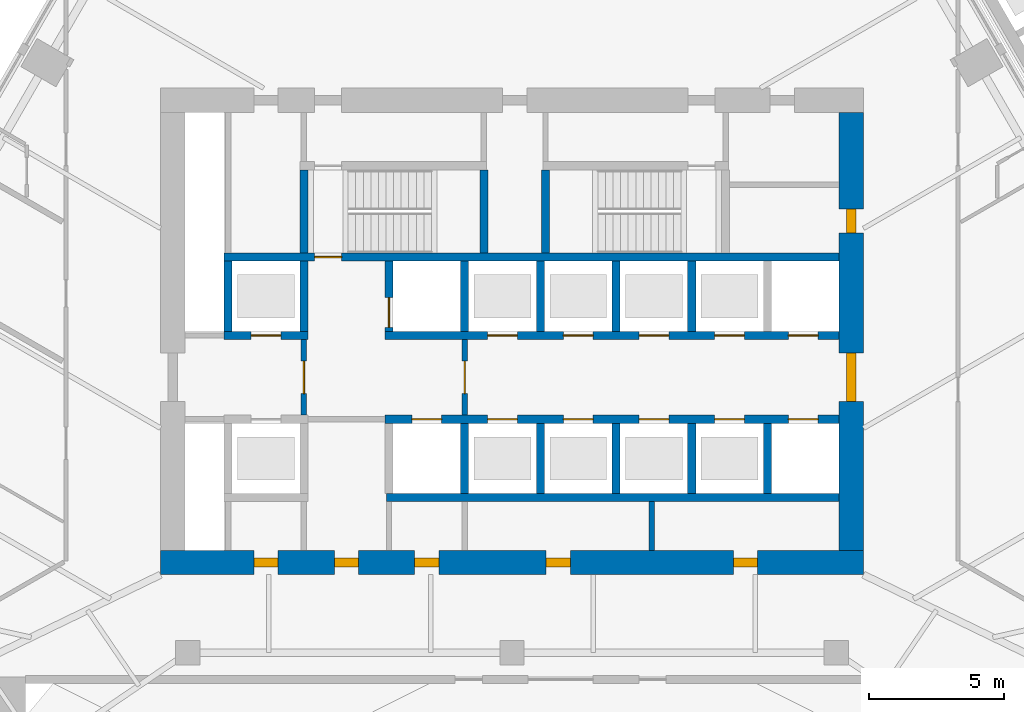
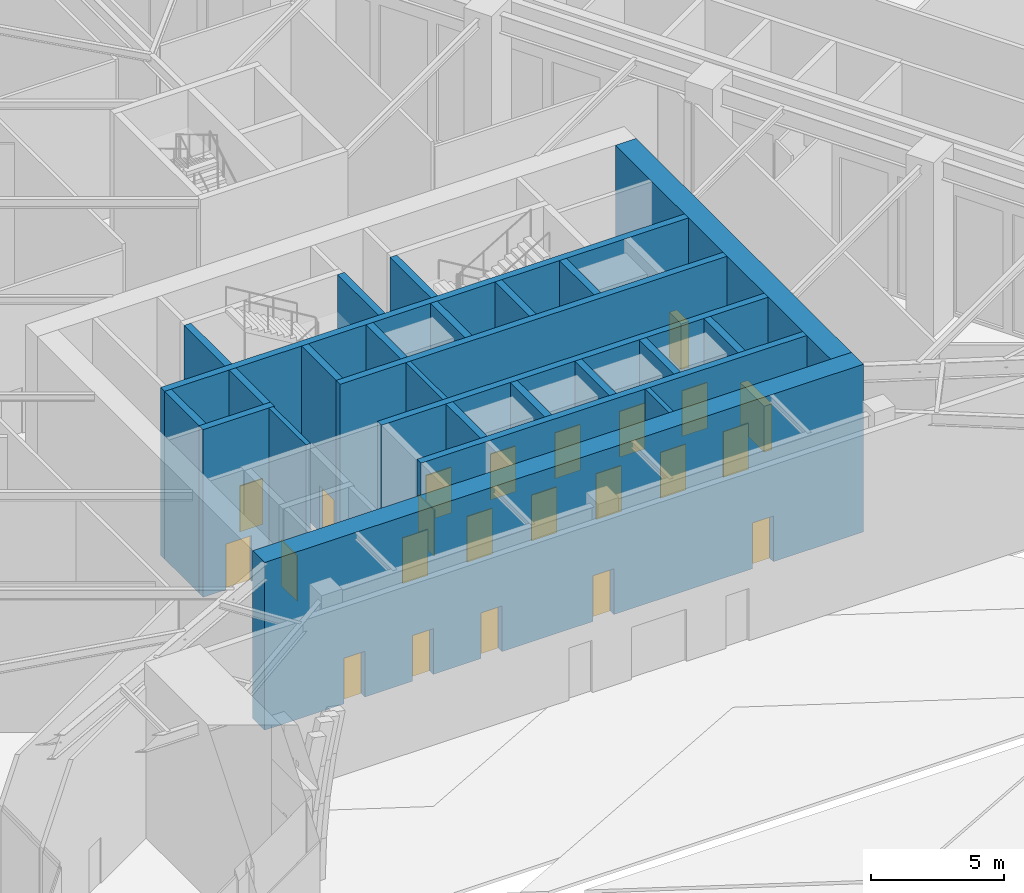
# One storey, part 14 of 34: 25 walls, 23 doors, 23 openings.
"""IFC4 building model written with IfcOpenShell, lengths in metres."""

from ifc_helpers import new_model, si_unit, direction, frame, frame_2d, origin, place, context, subcontext, project, spatial, rectangle, extrude, material, layer, layer_set, type_object, element, fill, save


model = new_model("IFC4")

# Units and contexts
model_context = context("Model", 3, precision=1e-05, world=origin(), true_north=direction((0.0, 1.0)))
body_context = subcontext(model_context, "Body", "Model", "MODEL_VIEW")
ifc_project = project(units=[si_unit("LENGTHUNIT", "METRE"), si_unit("AREAUNIT", "SQUARE_METRE"), si_unit("VOLUMEUNIT", "CUBIC_METRE"), si_unit("PLANEANGLEUNIT", "RADIAN"), si_unit("MASSUNIT", "GRAM", prefix="KILO")], contexts=[model_context])

# Site, building, storey
site_placement = place(None, origin())
site = spatial("IfcSite", under=ifc_project, at=site_placement, CompositionType="ELEMENT")
building_placement = place(site_placement, origin())
building = spatial("IfcBuilding", under=site, at=building_placement, Name="Firuza Gate Tower and Library", CompositionType="ELEMENT")
storey_placement = place(building_placement, origin())
storey = spatial("IfcBuildingStorey", under=building, at=storey_placement, Name="L00", CompositionType="ELEMENT", Elevation=0.0)

# Wall
ifc_material_1 = material(Name="Plasterboard on steel studs", Category="steel")
ifc_layer_1 = layer(ifc_material_1, 0.199951171875)
ifc_layer_set_1 = layer_set([ifc_layer_1], Name="Core partition 200 EI 120")
wall_type_1 = type_object("IfcWallType", Name="Core partition 200 EI 120", PredefinedType="PARTITIONING", material=ifc_layer_set_1)
wall_1_placement = place(storey_placement, frame((80.175048828125, 66.89990234375, 0.0), z_axis=(0.0, 0.0, 1.0), x_axis=(0.0, 1.0, 0.0)))
element("IfcWall", 1, at=wall_1_placement, inside=storey, type_object=wall_type_1, Name="Core partition L00 15", PredefinedType="PARTITIONING", context=body_context, shape_type="SweptSolid", body=[
    extrude(rectangle(XDim=1.800048828125, YDim=0.199951171875, at=frame_2d((0.89990234375, 0.0))), origin(), (0.0, 0.0, 1.0), 7.699951171875),
])

# Wall, opening, door
ifc_material_2 = material(Name="Plasterboard on steel studs", Category="steel")
ifc_layer_2 = layer(ifc_material_2, 0.199951171875)
ifc_layer_set_2 = layer_set([ifc_layer_2], Name="Core partition 200 EI 60")
wall_type_2 = type_object("IfcWallType", Name="Core partition 200 EI 60", PredefinedType="PARTITIONING", material=ifc_layer_set_2)
wall_2_placement = place(storey_placement, frame((67.300048828125, 71.89990234375, 0.0), z_axis=(0.0, 0.0, 1.0), x_axis=(0.0, 1.0, 0.0)))
wall_2 = element("IfcWall", 2, at=wall_2_placement, inside=storey, type_object=wall_type_2, Name="Core partition L00 8", PredefinedType="PARTITIONING", context=body_context, shape_type="SweptSolid", body=[
    extrude(rectangle(XDim=2.800048828125, YDim=0.199951171875, at=frame_2d((1.39990234375, 0.0))), origin(), (0.0, 0.0, 1.0), 7.699951171875),
])
opening_1_placement = place(wall_2_placement, frame((0.800048828125, 0.0, 0.0)))
opening_1 = element("IfcOpeningElement", 3, at=opening_1_placement, cuts=wall_2, Name="Opening L00-K25", PredefinedType="OPENING", context=body_context, shape_type="SweptSolid", body=[
    extrude(rectangle(XDim=1.199951171875, YDim=2.10009765625, at=frame_2d((0.60009765625, 1.050048828125))), frame((0.0, 0.10986328125, 0.0), z_axis=(0.0, -1.0, 0.0), x_axis=(1.0, 0.0, 0.0)), (0.0, 0.0, 1.0), 0.219970703125),
])
ifc_material_3 = material(Name="Steel", Category="steel")
door_type_1 = type_object("IfcDoorType", Name="Fire door 1200x2100 FD90S", OperationType="NOTDEFINED", PredefinedType="DOOR", material=ifc_material_3)
door_1_placement = place(opening_1_placement, origin())
door_1 = element("IfcDoor", 4, at=door_1_placement, inside=storey, type_object=door_type_1, Name="Door L00-K25", OperationType="SINGLE_SWING_RIGHT", OverallHeight=2.10009765625, OverallWidth=1.199951171875, PredefinedType="DOOR", context=body_context, shape_type="SweptSolid", body=[
    extrude(rectangle(XDim=1.199951171875, YDim=2.10009765625, at=frame_2d((0.60009765625, 1.050048828125))), frame((0.0, 0.02490234375, 0.0), z_axis=(0.0, -1.0, 0.0), x_axis=(1.0, 0.0, 0.0)), (0.0, 0.0, 1.0), 0.050048828125),
])
fill(opening_1, door_1)

wall_3_placement = place(storey_placement, frame((73.25, 71.89990234375, 0.0), z_axis=(0.0, 0.0, 1.0), x_axis=(0.0, 1.0, 0.0)))
wall_3 = element("IfcWall", 5, at=wall_3_placement, inside=storey, type_object=wall_type_2, Name="Core partition L00 12", PredefinedType="PARTITIONING", context=body_context, shape_type="SweptSolid", body=[
    extrude(rectangle(XDim=2.800048828125, YDim=0.199951171875, at=frame_2d((1.39990234375, 0.0))), origin(), (0.0, 0.0, 1.0), 7.699951171875),
])
opening_2_placement = place(wall_3_placement, frame((0.800048828125, 0.0, 0.0)))
opening_2 = element("IfcOpeningElement", 6, at=opening_2_placement, cuts=wall_3, Name="Opening L00-K24", PredefinedType="OPENING", context=body_context, shape_type="SweptSolid", body=[
    extrude(rectangle(XDim=1.199951171875, YDim=2.10009765625, at=frame_2d((0.60009765625, 1.050048828125))), frame((0.0, 0.10986328125, 0.0), z_axis=(0.0, -1.0, 0.0), x_axis=(1.0, 0.0, 0.0)), (0.0, 0.0, 1.0), 0.219970703125),
])
door_2_placement = place(opening_2_placement, origin())
door_2 = element("IfcDoor", 7, at=door_2_placement, inside=storey, type_object=door_type_1, Name="Door L00-K24", OperationType="SINGLE_SWING_LEFT", OverallHeight=2.10009765625, OverallWidth=1.199951171875, PredefinedType="DOOR", context=body_context, shape_type="SweptSolid", body=[
    extrude(rectangle(XDim=1.199951171875, YDim=2.10009765625, at=frame_2d((0.60009765625, 1.050048828125))), frame((0.0, 0.02490234375, 0.0), z_axis=(0.0, -1.0, 0.0), x_axis=(1.0, 0.0, 0.0)), (0.0, 0.0, 1.0), 0.050048828125),
])
fill(opening_2, door_2)

# Wall
ifc_material_4 = material(Name="Concrete C80/95", Category="concrete")
ifc_layer_3 = layer(ifc_material_4, 0.300048828125)
ifc_layer_set_3 = layer_set([ifc_layer_3], Name="Core wall 300 C80/95")
wall_type_3 = type_object("IfcWallType", Name="Core wall 300 C80/95", PredefinedType="SHEAR", material=ifc_layer_set_3)
wall_4_placement = place(storey_placement, frame((70.35009765625, 68.85009765625, 0.0), z_axis=(0.0, 0.0, 1.0), x_axis=(1.0, 0.0, 0.0)))
element("IfcWall", 8, at=wall_4_placement, inside=storey, type_object=wall_type_3, Name="Core wall L00 6", PredefinedType="SHEAR", context=body_context, shape_type="SweptSolid", body=[
    extrude(rectangle(XDim=16.75, YDim=0.300048828125, at=frame_2d((8.375, 0.0))), origin(), (0.0, 0.0, 1.0), 7.699951171875),
])

# Wall, openings, doors
wall_5_placement = place(storey_placement, frame((70.300048828125, 71.75, 0.0), z_axis=(0.0, 0.0, 1.0), x_axis=(1.0, 0.0, 0.0)))
wall_5 = element("IfcWall", 9, at=wall_5_placement, inside=storey, type_object=wall_type_3, Name="Core wall L00 8", PredefinedType="SHEAR", context=body_context, shape_type="SweptSolid", body=[
    extrude(rectangle(XDim=16.800048828125, YDim=0.300048828125, at=frame_2d((8.39990234375, 0.0))), origin(), (0.0, 0.0, 1.0), 7.699951171875),
])
opening_3_placement = place(wall_5_placement, frame((1.0, 0.0, 0.0)))
opening_3 = element("IfcOpeningElement", 10, at=opening_3_placement, cuts=wall_5, Name="Opening LD-FF1-L00", PredefinedType="OPENING", context=body_context, shape_type="SweptSolid", body=[
    extrude(rectangle(XDim=1.10009765625, YDim=2.10009765625, at=frame_2d((0.550048828125, 1.050048828125))), frame((0.0, 0.16015625, 0.0), z_axis=(0.0, -1.0, 0.0), x_axis=(1.0, 0.0, 0.0)), (0.0, 0.0, 1.0), 0.320068359375),
])
opening_4_placement = place(wall_5_placement, frame((3.800048828125, 0.0, 0.0)))
opening_4 = element("IfcOpeningElement", 11, at=opening_4_placement, cuts=wall_5, Name="Opening LD-LR1-L00", PredefinedType="OPENING", context=body_context, shape_type="SweptSolid", body=[
    extrude(rectangle(XDim=1.10009765625, YDim=2.10009765625, at=frame_2d((0.550048828125, 1.050048828125))), frame((0.0, 0.16015625, 0.0), z_axis=(0.0, -1.0, 0.0), x_axis=(1.0, 0.0, 0.0)), (0.0, 0.0, 1.0), 0.320068359375),
])
opening_5_placement = place(wall_5_placement, frame((6.60009765625, 0.0, 0.0)))
opening_5 = element("IfcOpeningElement", 12, at=opening_5_placement, cuts=wall_5, Name="Opening LD-LR2-L00", PredefinedType="OPENING", context=body_context, shape_type="SweptSolid", body=[
    extrude(rectangle(XDim=1.10009765625, YDim=2.10009765625, at=frame_2d((0.550048828125, 1.050048828125))), frame((0.0, 0.16015625, 0.0), z_axis=(0.0, -1.0, 0.0), x_axis=(1.0, 0.0, 0.0)), (0.0, 0.0, 1.0), 0.320068359375),
])
opening_6_placement = place(wall_5_placement, frame((9.39990234375, 0.0, 0.0)))
opening_6 = element("IfcOpeningElement", 13, at=opening_6_placement, cuts=wall_5, Name="Opening LD-LR3-L00", PredefinedType="OPENING", context=body_context, shape_type="SweptSolid", body=[
    extrude(rectangle(XDim=1.10009765625, YDim=2.10009765625, at=frame_2d((0.550048828125, 1.050048828125))), frame((0.0, 0.16015625, 0.0), z_axis=(0.0, -1.0, 0.0), x_axis=(1.0, 0.0, 0.0)), (0.0, 0.0, 1.0), 0.320068359375),
])
opening_7_placement = place(wall_5_placement, frame((12.199951171875, 0.0, 0.0)))
opening_7 = element("IfcOpeningElement", 14, at=opening_7_placement, cuts=wall_5, Name="Opening LD-LR5-L00", PredefinedType="OPENING", context=body_context, shape_type="SweptSolid", body=[
    extrude(rectangle(XDim=1.10009765625, YDim=2.10009765625, at=frame_2d((0.550048828125, 1.050048828125))), frame((0.0, 0.16015625, 0.0), z_axis=(0.0, -1.0, 0.0), x_axis=(1.0, 0.0, 0.0)), (0.0, 0.0, 1.0), 0.320068359375),
])
opening_8_placement = place(wall_5_placement, frame((14.925048828125, 0.0, 0.0)))
opening_8 = element("IfcOpeningElement", 15, at=opening_8_placement, cuts=wall_5, Name="Opening LD-LR7-L00", PredefinedType="OPENING", context=body_context, shape_type="SweptSolid", body=[
    extrude(rectangle(XDim=1.10009765625, YDim=2.10009765625, at=frame_2d((0.550048828125, 1.050048828125))), frame((0.0, 0.16015625, 0.0), z_axis=(0.0, -1.0, 0.0), x_axis=(1.0, 0.0, 0.0)), (0.0, 0.0, 1.0), 0.320068359375),
])
ifc_material_5 = material(Name="Stainless steel", Category="steel")
door_type_2 = type_object("IfcDoorType", Name="Lift landing door 1100x2100", OperationType="DOUBLE_DOOR_SLIDING", PredefinedType="DOOR", material=ifc_material_5)
door_3_placement = place(opening_3_placement, origin())
door_3 = element("IfcDoor", 16, at=door_3_placement, inside=storey, type_object=door_type_2, Name="Landing door FF1 L00", OperationType="DOUBLE_DOOR_SLIDING", OverallHeight=2.10009765625, OverallWidth=1.10009765625, PredefinedType="DOOR", context=body_context, shape_type="SweptSolid", body=[
    extrude(rectangle(XDim=1.10009765625, YDim=2.10009765625, at=frame_2d((0.550048828125, 1.050048828125))), frame((0.0, 0.02490234375, 0.0), z_axis=(0.0, -1.0, 0.0), x_axis=(1.0, 0.0, 0.0)), (0.0, 0.0, 1.0), 0.050048828125),
])
fill(opening_3, door_3)
door_4_placement = place(opening_4_placement, origin())
door_4 = element("IfcDoor", 17, at=door_4_placement, inside=storey, type_object=door_type_2, Name="Landing door LR1 L00", OperationType="DOUBLE_DOOR_SLIDING", OverallHeight=2.10009765625, OverallWidth=1.10009765625, PredefinedType="DOOR", context=body_context, shape_type="SweptSolid", body=[
    extrude(rectangle(XDim=1.10009765625, YDim=2.10009765625, at=frame_2d((0.550048828125, 1.050048828125))), frame((0.0, 0.02490234375, 0.0), z_axis=(0.0, -1.0, 0.0), x_axis=(1.0, 0.0, 0.0)), (0.0, 0.0, 1.0), 0.050048828125),
])
fill(opening_4, door_4)
door_5_placement = place(opening_5_placement, origin())
door_5 = element("IfcDoor", 18, at=door_5_placement, inside=storey, type_object=door_type_2, Name="Landing door LR2 L00", OperationType="DOUBLE_DOOR_SLIDING", OverallHeight=2.10009765625, OverallWidth=1.10009765625, PredefinedType="DOOR", context=body_context, shape_type="SweptSolid", body=[
    extrude(rectangle(XDim=1.10009765625, YDim=2.10009765625, at=frame_2d((0.550048828125, 1.050048828125))), frame((0.0, 0.02490234375, 0.0), z_axis=(0.0, -1.0, 0.0), x_axis=(1.0, 0.0, 0.0)), (0.0, 0.0, 1.0), 0.050048828125),
])
fill(opening_5, door_5)
door_6_placement = place(opening_6_placement, origin())
door_6 = element("IfcDoor", 19, at=door_6_placement, inside=storey, type_object=door_type_2, Name="Landing door LR3 L00", OperationType="DOUBLE_DOOR_SLIDING", OverallHeight=2.10009765625, OverallWidth=1.10009765625, PredefinedType="DOOR", context=body_context, shape_type="SweptSolid", body=[
    extrude(rectangle(XDim=1.10009765625, YDim=2.10009765625, at=frame_2d((0.550048828125, 1.050048828125))), frame((0.0, 0.02490234375, 0.0), z_axis=(0.0, -1.0, 0.0), x_axis=(1.0, 0.0, 0.0)), (0.0, 0.0, 1.0), 0.050048828125),
])
fill(opening_6, door_6)
door_7_placement = place(opening_7_placement, origin())
door_7 = element("IfcDoor", 20, at=door_7_placement, inside=storey, type_object=door_type_2, Name="Landing door LR5 L00", OperationType="DOUBLE_DOOR_SLIDING", OverallHeight=2.10009765625, OverallWidth=1.10009765625, PredefinedType="DOOR", context=body_context, shape_type="SweptSolid", body=[
    extrude(rectangle(XDim=1.10009765625, YDim=2.10009765625, at=frame_2d((0.550048828125, 1.050048828125))), frame((0.0, 0.02490234375, 0.0), z_axis=(0.0, -1.0, 0.0), x_axis=(1.0, 0.0, 0.0)), (0.0, 0.0, 1.0), 0.050048828125),
])
fill(opening_7, door_7)
door_8_placement = place(opening_8_placement, origin())
door_8 = element("IfcDoor", 21, at=door_8_placement, inside=storey, type_object=door_type_2, Name="Landing door LR7 L00", OperationType="DOUBLE_DOOR_SLIDING", OverallHeight=2.10009765625, OverallWidth=1.10009765625, PredefinedType="DOOR", context=body_context, shape_type="SweptSolid", body=[
    extrude(rectangle(XDim=1.10009765625, YDim=2.10009765625, at=frame_2d((0.550048828125, 1.050048828125))), frame((0.0, 0.02490234375, 0.0), z_axis=(0.0, -1.0, 0.0), x_axis=(1.0, 0.0, 0.0)), (0.0, 0.0, 1.0), 0.050048828125),
])
fill(opening_8, door_8)

# Wall, opening, door
wall_6_placement = place(storey_placement, frame((64.35009765625, 74.85009765625, 0.0), z_axis=(0.0, 0.0, 1.0), x_axis=(1.0, 0.0, 0.0)))
wall_6 = element("IfcWall", 22, at=wall_6_placement, inside=storey, type_object=wall_type_3, Name="Core wall L00 9", PredefinedType="SHEAR", context=body_context, shape_type="SweptSolid", body=[
    extrude(rectangle(XDim=3.099853515625, YDim=0.300048828125, at=frame_2d((1.5498046875, 0.0))), origin(), (0.0, 0.0, 1.0), 7.699951171875),
])
opening_9_placement = place(wall_6_placement, frame((1.0, 0.0, 0.0)))
opening_9 = element("IfcOpeningElement", 23, at=opening_9_placement, cuts=wall_6, Name="Opening LD-SA2-L00", PredefinedType="OPENING", context=body_context, shape_type="SweptSolid", body=[
    extrude(rectangle(XDim=1.10009765625, YDim=2.10009765625, at=frame_2d((0.550048828125, 1.050048828125))), frame((0.0, 0.16015625, 0.0), z_axis=(0.0, -1.0, 0.0), x_axis=(1.0, 0.0, 0.0)), (0.0, 0.0, 1.0), 0.320068359375),
])
door_9_placement = place(opening_9_placement, origin())
door_9 = element("IfcDoor", 24, at=door_9_placement, inside=storey, type_object=door_type_2, Name="Landing door SA2 L00", OperationType="DOUBLE_DOOR_SLIDING", OverallHeight=2.10009765625, OverallWidth=1.10009765625, PredefinedType="DOOR", context=body_context, shape_type="SweptSolid", body=[
    extrude(rectangle(XDim=1.10009765625, YDim=2.10009765625, at=frame_2d((0.550048828125, 1.050048828125))), frame((0.0, 0.02490234375, 0.0), z_axis=(0.0, -1.0, 0.0), x_axis=(1.0, 0.0, 0.0)), (0.0, 0.0, 1.0), 0.050048828125),
])
fill(opening_9, door_9)

# Wall, openings, doors
wall_7_placement = place(storey_placement, frame((70.300048828125, 74.85009765625, 0.0), z_axis=(0.0, 0.0, 1.0), x_axis=(1.0, 0.0, 0.0)))
wall_7 = element("IfcWall", 25, at=wall_7_placement, inside=storey, type_object=wall_type_3, Name="Core wall L00 10", PredefinedType="SHEAR", context=body_context, shape_type="SweptSolid", body=[
    extrude(rectangle(XDim=16.800048828125, YDim=0.300048828125, at=frame_2d((8.39990234375, 0.0))), origin(), (0.0, 0.0, 1.0), 7.699951171875),
])
opening_10_placement = place(wall_7_placement, frame((3.800048828125, 0.0, 0.0)))
opening_10 = element("IfcOpeningElement", 26, at=opening_10_placement, cuts=wall_7, Name="Opening LD-LR4-L00", PredefinedType="OPENING", context=body_context, shape_type="SweptSolid", body=[
    extrude(rectangle(XDim=1.10009765625, YDim=2.10009765625, at=frame_2d((0.550048828125, 1.050048828125))), frame((0.0, 0.16015625, 0.0), z_axis=(0.0, -1.0, 0.0), x_axis=(1.0, 0.0, 0.0)), (0.0, 0.0, 1.0), 0.320068359375),
])
opening_11_placement = place(wall_7_placement, frame((6.60009765625, 0.0, 0.0)))
opening_11 = element("IfcOpeningElement", 27, at=opening_11_placement, cuts=wall_7, Name="Opening LD-SB1-L00", PredefinedType="OPENING", context=body_context, shape_type="SweptSolid", body=[
    extrude(rectangle(XDim=1.10009765625, YDim=2.10009765625, at=frame_2d((0.550048828125, 1.050048828125))), frame((0.0, 0.16015625, 0.0), z_axis=(0.0, -1.0, 0.0), x_axis=(1.0, 0.0, 0.0)), (0.0, 0.0, 1.0), 0.320068359375),
])
opening_12_placement = place(wall_7_placement, frame((9.39990234375, 0.0, 0.0)))
opening_12 = element("IfcOpeningElement", 28, at=opening_12_placement, cuts=wall_7, Name="Opening LD-SB2-L00", PredefinedType="OPENING", context=body_context, shape_type="SweptSolid", body=[
    extrude(rectangle(XDim=1.10009765625, YDim=2.10009765625, at=frame_2d((0.550048828125, 1.050048828125))), frame((0.0, 0.16015625, 0.0), z_axis=(0.0, -1.0, 0.0), x_axis=(1.0, 0.0, 0.0)), (0.0, 0.0, 1.0), 0.320068359375),
])
opening_13_placement = place(wall_7_placement, frame((12.199951171875, 0.0, 0.0)))
opening_13 = element("IfcOpeningElement", 29, at=opening_13_placement, cuts=wall_7, Name="Opening LD-LR6-L00", PredefinedType="OPENING", context=body_context, shape_type="SweptSolid", body=[
    extrude(rectangle(XDim=1.10009765625, YDim=2.10009765625, at=frame_2d((0.550048828125, 1.050048828125))), frame((0.0, 0.16015625, 0.0), z_axis=(0.0, -1.0, 0.0), x_axis=(1.0, 0.0, 0.0)), (0.0, 0.0, 1.0), 0.320068359375),
])
opening_14_placement = place(wall_7_placement, frame((14.925048828125, 0.0, 0.0)))
opening_14 = element("IfcOpeningElement", 30, at=opening_14_placement, cuts=wall_7, Name="Opening LD-LR8-L00", PredefinedType="OPENING", context=body_context, shape_type="SweptSolid", body=[
    extrude(rectangle(XDim=1.10009765625, YDim=2.10009765625, at=frame_2d((0.550048828125, 1.050048828125))), frame((0.0, 0.16015625, 0.0), z_axis=(0.0, -1.0, 0.0), x_axis=(1.0, 0.0, 0.0)), (0.0, 0.0, 1.0), 0.320068359375),
])
door_10_placement = place(opening_10_placement, origin())
door_10 = element("IfcDoor", 31, at=door_10_placement, inside=storey, type_object=door_type_2, Name="Landing door LR4 L00", OperationType="DOUBLE_DOOR_SLIDING", OverallHeight=2.10009765625, OverallWidth=1.10009765625, PredefinedType="DOOR", context=body_context, shape_type="SweptSolid", body=[
    extrude(rectangle(XDim=1.10009765625, YDim=2.10009765625, at=frame_2d((0.550048828125, 1.050048828125))), frame((0.0, 0.02490234375, 0.0), z_axis=(0.0, -1.0, 0.0), x_axis=(1.0, 0.0, 0.0)), (0.0, 0.0, 1.0), 0.050048828125),
])
fill(opening_10, door_10)
door_11_placement = place(opening_11_placement, origin())
door_11 = element("IfcDoor", 32, at=door_11_placement, inside=storey, type_object=door_type_2, Name="Landing door SB1 L00", OperationType="DOUBLE_DOOR_SLIDING", OverallHeight=2.10009765625, OverallWidth=1.10009765625, PredefinedType="DOOR", context=body_context, shape_type="SweptSolid", body=[
    extrude(rectangle(XDim=1.10009765625, YDim=2.10009765625, at=frame_2d((0.550048828125, 1.050048828125))), frame((0.0, 0.02490234375, 0.0), z_axis=(0.0, -1.0, 0.0), x_axis=(1.0, 0.0, 0.0)), (0.0, 0.0, 1.0), 0.050048828125),
])
fill(opening_11, door_11)
door_12_placement = place(opening_12_placement, origin())
door_12 = element("IfcDoor", 33, at=door_12_placement, inside=storey, type_object=door_type_2, Name="Landing door SB2 L00", OperationType="DOUBLE_DOOR_SLIDING", OverallHeight=2.10009765625, OverallWidth=1.10009765625, PredefinedType="DOOR", context=body_context, shape_type="SweptSolid", body=[
    extrude(rectangle(XDim=1.10009765625, YDim=2.10009765625, at=frame_2d((0.550048828125, 1.050048828125))), frame((0.0, 0.02490234375, 0.0), z_axis=(0.0, -1.0, 0.0), x_axis=(1.0, 0.0, 0.0)), (0.0, 0.0, 1.0), 0.050048828125),
])
fill(opening_12, door_12)
door_13_placement = place(opening_13_placement, origin())
door_13 = element("IfcDoor", 34, at=door_13_placement, inside=storey, type_object=door_type_2, Name="Landing door LR6 L00", OperationType="DOUBLE_DOOR_SLIDING", OverallHeight=2.10009765625, OverallWidth=1.10009765625, PredefinedType="DOOR", context=body_context, shape_type="SweptSolid", body=[
    extrude(rectangle(XDim=1.10009765625, YDim=2.10009765625, at=frame_2d((0.550048828125, 1.050048828125))), frame((0.0, 0.02490234375, 0.0), z_axis=(0.0, -1.0, 0.0), x_axis=(1.0, 0.0, 0.0)), (0.0, 0.0, 1.0), 0.050048828125),
])
fill(opening_13, door_13)
door_14_placement = place(opening_14_placement, origin())
door_14 = element("IfcDoor", 35, at=door_14_placement, inside=storey, type_object=door_type_2, Name="Landing door LR8 L00", OperationType="DOUBLE_DOOR_SLIDING", OverallHeight=2.10009765625, OverallWidth=1.10009765625, PredefinedType="DOOR", context=body_context, shape_type="SweptSolid", body=[
    extrude(rectangle(XDim=1.10009765625, YDim=2.10009765625, at=frame_2d((0.550048828125, 1.050048828125))), frame((0.0, 0.02490234375, 0.0), z_axis=(0.0, -1.0, 0.0), x_axis=(1.0, 0.0, 0.0)), (0.0, 0.0, 1.0), 0.050048828125),
])
fill(opening_14, door_14)

# Walls
for number, where, z_axis, x_axis, name in (
    (36, (64.5, 75.0, 0.0), (0.0, 0.0, 1.0), (0.0, 1.0, 0.0), "Core wall L00 12"),
    (37, (67.300048828125, 75.0, 0.0), (0.0, 0.0, 1.0), (0.0, 1.0, 0.0), "Core wall L00 14"),
):
    element("IfcWall", number, at=place(storey_placement, frame(where, z_axis=z_axis, x_axis=x_axis)), inside=storey, type_object=wall_type_3, Name=name, PredefinedType="SHEAR", context=body_context, shape_type="SweptSolid", body=[
        extrude(rectangle(XDim=2.60009765625, YDim=0.300048828125, at=frame_2d((1.300048828125, 0.0))), origin(), (0.0, 0.0, 1.0), 7.699951171875),
    ])

# Wall, opening, door
wall_8_placement = place(storey_placement, frame((70.449951171875, 75.0, 0.0), z_axis=(0.0, 0.0, 1.0), x_axis=(0.0, 1.0, 0.0)))
wall_8 = element("IfcWall", 38, at=wall_8_placement, inside=storey, type_object=wall_type_3, Name="Core wall L00 16", PredefinedType="SHEAR", context=body_context, shape_type="SweptSolid", body=[
    extrude(rectangle(XDim=2.60009765625, YDim=0.300048828125, at=frame_2d((1.300048828125, 0.0))), origin(), (0.0, 0.0, 1.0), 7.699951171875),
])
opening_15_placement = place(wall_8_placement, frame((0.14990234375, 0.0, 0.0)))
opening_15 = element("IfcOpeningElement", 39, at=opening_15_placement, cuts=wall_8, Name="Opening LD-FF2-L00", PredefinedType="OPENING", context=body_context, shape_type="SweptSolid", body=[
    extrude(rectangle(XDim=1.10009765625, YDim=2.10009765625, at=frame_2d((0.550048828125, 1.050048828125))), frame((0.0, 0.16015625, 0.0), z_axis=(0.0, -1.0, 0.0), x_axis=(1.0, 0.0, 0.0)), (0.0, 0.0, 1.0), 0.320068359375),
])
door_15_placement = place(opening_15_placement, origin())
door_15 = element("IfcDoor", 40, at=door_15_placement, inside=storey, type_object=door_type_2, Name="Landing door FF2 L00", OperationType="DOUBLE_DOOR_SLIDING", OverallHeight=2.10009765625, OverallWidth=1.10009765625, PredefinedType="DOOR", context=body_context, shape_type="SweptSolid", body=[
    extrude(rectangle(XDim=1.10009765625, YDim=2.10009765625, at=frame_2d((0.550048828125, 1.050048828125))), frame((0.0, 0.02490234375, 0.0), z_axis=(0.0, -1.0, 0.0), x_axis=(1.0, 0.0, 0.0)), (0.0, 0.0, 1.0), 0.050048828125),
])
fill(opening_15, door_15)

# Walls
for number, where, z_axis, x_axis, name in (
    (41, (73.25, 69.0, 0.0), (0.0, 0.0, 1.0), (0.0, 1.0, 0.0), "Core wall L00 17"),
    (42, (73.25, 75.0, 0.0), (0.0, 0.0, 1.0), (0.0, 1.0, 0.0), "Core wall L00 18"),
    (43, (76.050048828125, 69.0, 0.0), (0.0, 0.0, 1.0), (0.0, 1.0, 0.0), "Core wall L00 19"),
    (44, (76.050048828125, 75.0, 0.0), (0.0, 0.0, 1.0), (0.0, 1.0, 0.0), "Core wall L00 20"),
    (45, (78.85009765625, 69.0, 0.0), (0.0, 0.0, 1.0), (0.0, 1.0, 0.0), "Core wall L00 21"),
    (46, (78.85009765625, 75.0, 0.0), (0.0, 0.0, 1.0), (0.0, 1.0, 0.0), "Core wall L00 22"),
    (47, (81.64990234375, 69.0, 0.0), (0.0, 0.0, 1.0), (0.0, 1.0, 0.0), "Core wall L00 23"),
    (48, (81.64990234375, 75.0, 0.0), (0.0, 0.0, 1.0), (0.0, 1.0, 0.0), "Core wall L00 24"),
    (49, (84.449951171875, 69.0, 0.0), (0.0, 0.0, 1.0), (0.0, 1.0, 0.0), "Core wall L00 25"),
):
    element("IfcWall", number, at=place(storey_placement, frame(where, z_axis=z_axis, x_axis=x_axis)), inside=storey, type_object=wall_type_3, Name=name, PredefinedType="SHEAR", context=body_context, shape_type="SweptSolid", body=[
        extrude(rectangle(XDim=2.60009765625, YDim=0.300048828125, at=frame_2d((1.300048828125, 0.0))), origin(), (0.0, 0.0, 1.0), 7.699951171875),
    ])

# Wall, opening, door
wall_9_placement = place(storey_placement, frame((64.35009765625, 77.75, 0.0), z_axis=(0.0, 0.0, 1.0), x_axis=(1.0, 0.0, 0.0)))
wall_9 = element("IfcWall", 50, at=wall_9_placement, inside=storey, type_object=wall_type_3, Name="Core wall L00 27", PredefinedType="SHEAR", context=body_context, shape_type="SweptSolid", body=[
    extrude(rectangle(XDim=22.75, YDim=0.300048828125, at=frame_2d((11.375, 0.0))), origin(), (0.0, 0.0, 1.0), 7.699951171875),
])
opening_16_placement = place(wall_9_placement, frame((3.344970703125, 0.0, 0.0)))
opening_16 = element("IfcOpeningElement", 51, at=opening_16_placement, cuts=wall_9, Name="Opening L00-K16", PredefinedType="OPENING", context=body_context, shape_type="SweptSolid", body=[
    extrude(rectangle(XDim=1.0, YDim=2.10009765625, at=frame_2d((0.5, 1.050048828125))), frame((0.0, 0.16015625, 0.0), z_axis=(0.0, -1.0, 0.0), x_axis=(1.0, 0.0, 0.0)), (0.0, 0.0, 1.0), 0.320068359375),
])
ifc_material_6 = material(Name="Steel", Category="steel")
door_type_3 = type_object("IfcDoorType", Name="Fire door 1000x2100 FD90", OperationType="NOTDEFINED", PredefinedType="DOOR", material=ifc_material_6)
door_16_placement = place(opening_16_placement, origin())
door_16 = element("IfcDoor", 52, at=door_16_placement, inside=storey, type_object=door_type_3, Name="Door L00-K16", OperationType="SINGLE_SWING_LEFT", OverallHeight=2.10009765625, OverallWidth=1.0, PredefinedType="DOOR", context=body_context, shape_type="SweptSolid", body=[
    extrude(rectangle(XDim=1.0, YDim=2.10009765625, at=frame_2d((0.5, 1.050048828125))), frame((0.0, 0.02490234375, 0.0), z_axis=(0.0, -1.0, 0.0), x_axis=(1.0, 0.0, 0.0)), (0.0, 0.0, 1.0), 0.050048828125),
])
fill(opening_16, door_16)

# Walls
for number, where, z_axis, x_axis, name in (
    (53, (67.300048828125, 77.89990234375, 0.0), (0.0, 0.0, 1.0), (0.0, 1.0, 0.0), "Core wall L00 30"),
    (54, (73.9599609375, 77.89990234375, 0.0), (0.0, 0.0, 1.0), (0.0, 1.0, 0.0), "Core wall L00 31"),
    (55, (76.239990234375, 77.89990234375, 0.0), (0.0, 0.0, 1.0), (0.0, 1.0, 0.0), "Core wall L00 32"),
):
    element("IfcWall", number, at=place(storey_placement, frame(where, z_axis=z_axis, x_axis=x_axis)), inside=storey, type_object=wall_type_3, Name=name, PredefinedType="SHEAR", context=body_context, shape_type="SweptSolid", body=[
        extrude(rectangle(XDim=3.080078125, YDim=0.300048828125, at=frame_2d((1.5400390625, 0.0))), origin(), (0.0, 0.0, 1.0), 7.699951171875),
    ])

# Wall, openings, doors
ifc_material_7 = material(Name="Concrete C80/95", Category="concrete")
ifc_layer_4 = layer(ifc_material_7, 0.89990234375)
ifc_layer_set_4 = layer_set([ifc_layer_4], Name="Core wall 900 C80/95")
wall_type_4 = type_object("IfcWallType", Name="Core wall 900 C80/95", PredefinedType="SHEAR", material=ifc_layer_set_4)
wall_10_placement = place(storey_placement, frame((62.0, 66.449951171875, 0.0), z_axis=(0.0, 0.0, 1.0), x_axis=(1.0, 0.0, 0.0)))
wall_10 = element("IfcWall", 56, at=wall_10_placement, inside=storey, type_object=wall_type_4, Name="Core wall L00 1", PredefinedType="SHEAR", context=body_context, shape_type="SweptSolid", body=[
    extrude(rectangle(XDim=26.0, YDim=0.89990234375, at=frame_2d((13.0, 0.0))), origin(), (0.0, 0.0, 1.0), 7.699951171875),
])
opening_17_placement = place(wall_10_placement, frame((3.449951171875, 0.0, 0.0)))
opening_17 = element("IfcOpeningElement", 57, at=opening_17_placement, cuts=wall_10, Name="Opening L00-K28", PredefinedType="OPENING", context=body_context, shape_type="SweptSolid", body=[
    extrude(rectangle(XDim=0.89990234375, YDim=2.10009765625, at=frame_2d((0.449951171875, 1.050048828125))), frame((0.0, 0.4599609375, 0.0), z_axis=(0.0, -1.0, 0.0), x_axis=(1.0, 0.0, 0.0)), (0.0, 0.0, 1.0), 0.919921875),
])
opening_18_placement = place(wall_10_placement, frame((6.425048828125, 0.0, 0.0)))
opening_18 = element("IfcOpeningElement", 58, at=opening_18_placement, cuts=wall_10, Name="Opening L00-K29", PredefinedType="OPENING", context=body_context, shape_type="SweptSolid", body=[
    extrude(rectangle(XDim=0.89990234375, YDim=2.10009765625, at=frame_2d((0.449951171875, 1.050048828125))), frame((0.0, 0.4599609375, 0.0), z_axis=(0.0, -1.0, 0.0), x_axis=(1.0, 0.0, 0.0)), (0.0, 0.0, 1.0), 0.919921875),
])
opening_19_placement = place(wall_10_placement, frame((9.39990234375, 0.0, 0.0)))
opening_19 = element("IfcOpeningElement", 59, at=opening_19_placement, cuts=wall_10, Name="Opening L00-K30", PredefinedType="OPENING", context=body_context, shape_type="SweptSolid", body=[
    extrude(rectangle(XDim=0.89990234375, YDim=2.10009765625, at=frame_2d((0.449951171875, 1.050048828125))), frame((0.0, 0.4599609375, 0.0), z_axis=(0.0, -1.0, 0.0), x_axis=(1.0, 0.0, 0.0)), (0.0, 0.0, 1.0), 0.919921875),
])
opening_20_placement = place(wall_10_placement, frame((14.262451171875, 0.0, 0.0)))
opening_20 = element("IfcOpeningElement", 60, at=opening_20_placement, cuts=wall_10, Name="Opening L00-K31", PredefinedType="OPENING", context=body_context, shape_type="SweptSolid", body=[
    extrude(rectangle(XDim=0.89990234375, YDim=2.10009765625, at=frame_2d((0.449951171875, 1.050048828125))), frame((0.0, 0.4599609375, 0.0), z_axis=(0.0, -1.0, 0.0), x_axis=(1.0, 0.0, 0.0)), (0.0, 0.0, 1.0), 0.919921875),
])
opening_21_placement = place(wall_10_placement, frame((21.1875, 0.0, 0.0)))
opening_21 = element("IfcOpeningElement", 61, at=opening_21_placement, cuts=wall_10, Name="Opening L00-K32", PredefinedType="OPENING", context=body_context, shape_type="SweptSolid", body=[
    extrude(rectangle(XDim=0.89990234375, YDim=2.10009765625, at=frame_2d((0.449951171875, 1.050048828125))), frame((0.0, 0.4599609375, 0.0), z_axis=(0.0, -1.0, 0.0), x_axis=(1.0, 0.0, 0.0)), (0.0, 0.0, 1.0), 0.919921875),
])
ifc_material_8 = material(Name="Steel", Category="steel")
door_type_4 = type_object("IfcDoorType", Name="Fire door 900x2100 FD30S", OperationType="NOTDEFINED", PredefinedType="DOOR", material=ifc_material_8)
door_17_placement = place(opening_17_placement, origin())
door_17 = element("IfcDoor", 62, at=door_17_placement, inside=storey, type_object=door_type_4, Name="Door L00-K28", OperationType="SINGLE_SWING_LEFT", OverallHeight=2.10009765625, OverallWidth=0.89990234375, PredefinedType="DOOR", context=body_context, shape_type="SweptSolid", body=[
    extrude(rectangle(XDim=0.89990234375, YDim=2.10009765625, at=frame_2d((0.449951171875, 1.050048828125))), frame((0.0, 0.169921875, 0.0), z_axis=(0.0, -1.0, 0.0), x_axis=(1.0, 0.0, 0.0)), (0.0, 0.0, 1.0), 0.33984375),
])
fill(opening_17, door_17)
door_18_placement = place(opening_18_placement, origin())
door_18 = element("IfcDoor", 63, at=door_18_placement, inside=storey, type_object=door_type_4, Name="Door L00-K29", OperationType="SINGLE_SWING_RIGHT", OverallHeight=2.10009765625, OverallWidth=0.89990234375, PredefinedType="DOOR", context=body_context, shape_type="SweptSolid", body=[
    extrude(rectangle(XDim=0.89990234375, YDim=2.10009765625, at=frame_2d((0.449951171875, 1.050048828125))), frame((0.0, 0.169921875, 0.0), z_axis=(0.0, -1.0, 0.0), x_axis=(1.0, 0.0, 0.0)), (0.0, 0.0, 1.0), 0.33984375),
])
fill(opening_18, door_18)
door_19_placement = place(opening_19_placement, origin())
door_19 = element("IfcDoor", 64, at=door_19_placement, inside=storey, type_object=door_type_4, Name="Door L00-K30", OperationType="SINGLE_SWING_LEFT", OverallHeight=2.10009765625, OverallWidth=0.89990234375, PredefinedType="DOOR", context=body_context, shape_type="SweptSolid", body=[
    extrude(rectangle(XDim=0.89990234375, YDim=2.10009765625, at=frame_2d((0.449951171875, 1.050048828125))), frame((0.0, 0.169921875, 0.0), z_axis=(0.0, -1.0, 0.0), x_axis=(1.0, 0.0, 0.0)), (0.0, 0.0, 1.0), 0.33984375),
])
fill(opening_19, door_19)
door_20_placement = place(opening_20_placement, origin())
door_20 = element("IfcDoor", 65, at=door_20_placement, inside=storey, type_object=door_type_4, Name="Door L00-K31", OperationType="SINGLE_SWING_RIGHT", OverallHeight=2.10009765625, OverallWidth=0.89990234375, PredefinedType="DOOR", context=body_context, shape_type="SweptSolid", body=[
    extrude(rectangle(XDim=0.89990234375, YDim=2.10009765625, at=frame_2d((0.449951171875, 1.050048828125))), frame((0.0, 0.169921875, 0.0), z_axis=(0.0, -1.0, 0.0), x_axis=(1.0, 0.0, 0.0)), (0.0, 0.0, 1.0), 0.33984375),
])
fill(opening_20, door_20)
door_21_placement = place(opening_21_placement, origin())
door_21 = element("IfcDoor", 66, at=door_21_placement, inside=storey, type_object=door_type_4, Name="Door L00-K32", OperationType="SINGLE_SWING_LEFT", OverallHeight=2.10009765625, OverallWidth=0.89990234375, PredefinedType="DOOR", context=body_context, shape_type="SweptSolid", body=[
    extrude(rectangle(XDim=0.89990234375, YDim=2.10009765625, at=frame_2d((0.449951171875, 1.050048828125))), frame((0.0, 0.169921875, 0.0), z_axis=(0.0, -1.0, 0.0), x_axis=(1.0, 0.0, 0.0)), (0.0, 0.0, 1.0), 0.33984375),
])
fill(opening_21, door_21)

wall_11_placement = place(storey_placement, frame((87.550048828125, 66.89990234375, 0.0), z_axis=(0.0, 0.0, 1.0), x_axis=(0.0, 1.0, 0.0)))
wall_11 = element("IfcWall", 67, at=wall_11_placement, inside=storey, type_object=wall_type_4, Name="Core wall L00 4", PredefinedType="SHEAR", context=body_context, shape_type="SweptSolid", body=[
    extrude(rectangle(XDim=16.2001953125, YDim=0.89990234375, at=frame_2d((8.10009765625, 0.0))), origin(), (0.0, 0.0, 1.0), 7.699951171875),
])
opening_22_placement = place(wall_11_placement, frame((5.5, 0.0, 0.0)))
opening_22 = element("IfcOpeningElement", 68, at=opening_22_placement, cuts=wall_11, Name="Opening L00-K27", PredefinedType="OPENING", context=body_context, shape_type="SweptSolid", body=[
    extrude(rectangle(XDim=1.800048828125, YDim=2.10009765625, at=frame_2d((0.89990234375, 1.050048828125))), frame((0.0, 0.4599609375, 0.0), z_axis=(0.0, -1.0, 0.0), x_axis=(1.0, 0.0, 0.0)), (0.0, 0.0, 1.0), 0.919921875),
])
opening_23_placement = place(wall_11_placement, frame((11.737548828125, 0.0, 0.0)))
opening_23 = element("IfcOpeningElement", 69, at=opening_23_placement, cuts=wall_11, Name="Opening L00-K35", PredefinedType="OPENING", context=body_context, shape_type="SweptSolid", body=[
    extrude(rectangle(XDim=0.89990234375, YDim=2.10009765625, at=frame_2d((0.449951171875, 1.050048828125))), frame((0.0, 0.4599609375, 0.0), z_axis=(0.0, -1.0, 0.0), x_axis=(1.0, 0.0, 0.0)), (0.0, 0.0, 1.0), 0.919921875),
])
ifc_material_9 = material(Name="Steel", Category="steel")
door_type_5 = type_object("IfcDoorType", Name="Fire door 1800x2100 FD30S", OperationType="NOTDEFINED", PredefinedType="DOOR", material=ifc_material_9)
door_22_placement = place(opening_22_placement, origin())
door_22 = element("IfcDoor", 70, at=door_22_placement, inside=storey, type_object=door_type_5, Name="Door L00-K27", OperationType="SINGLE_SWING_RIGHT", OverallHeight=2.10009765625, OverallWidth=1.800048828125, PredefinedType="DOOR", context=body_context, shape_type="SweptSolid", body=[
    extrude(rectangle(XDim=1.800048828125, YDim=2.10009765625, at=frame_2d((0.89990234375, 1.050048828125))), frame((0.0, 0.169921875, 0.0), z_axis=(0.0, -1.0, 0.0), x_axis=(1.0, 0.0, 0.0)), (0.0, 0.0, 1.0), 0.33984375),
])
fill(opening_22, door_22)
door_23_placement = place(opening_23_placement, origin())
door_23 = element("IfcDoor", 71, at=door_23_placement, inside=storey, type_object=door_type_4, Name="Door L00-K35", OperationType="SINGLE_SWING_RIGHT", OverallHeight=2.10009765625, OverallWidth=0.89990234375, PredefinedType="DOOR", context=body_context, shape_type="SweptSolid", body=[
    extrude(rectangle(XDim=0.89990234375, YDim=2.10009765625, at=frame_2d((0.449951171875, 1.050048828125))), frame((0.0, 0.169921875, 0.0), z_axis=(0.0, -1.0, 0.0), x_axis=(1.0, 0.0, 0.0)), (0.0, 0.0, 1.0), 0.33984375),
])
fill(opening_23, door_23)

save(model, "model.ifc")
